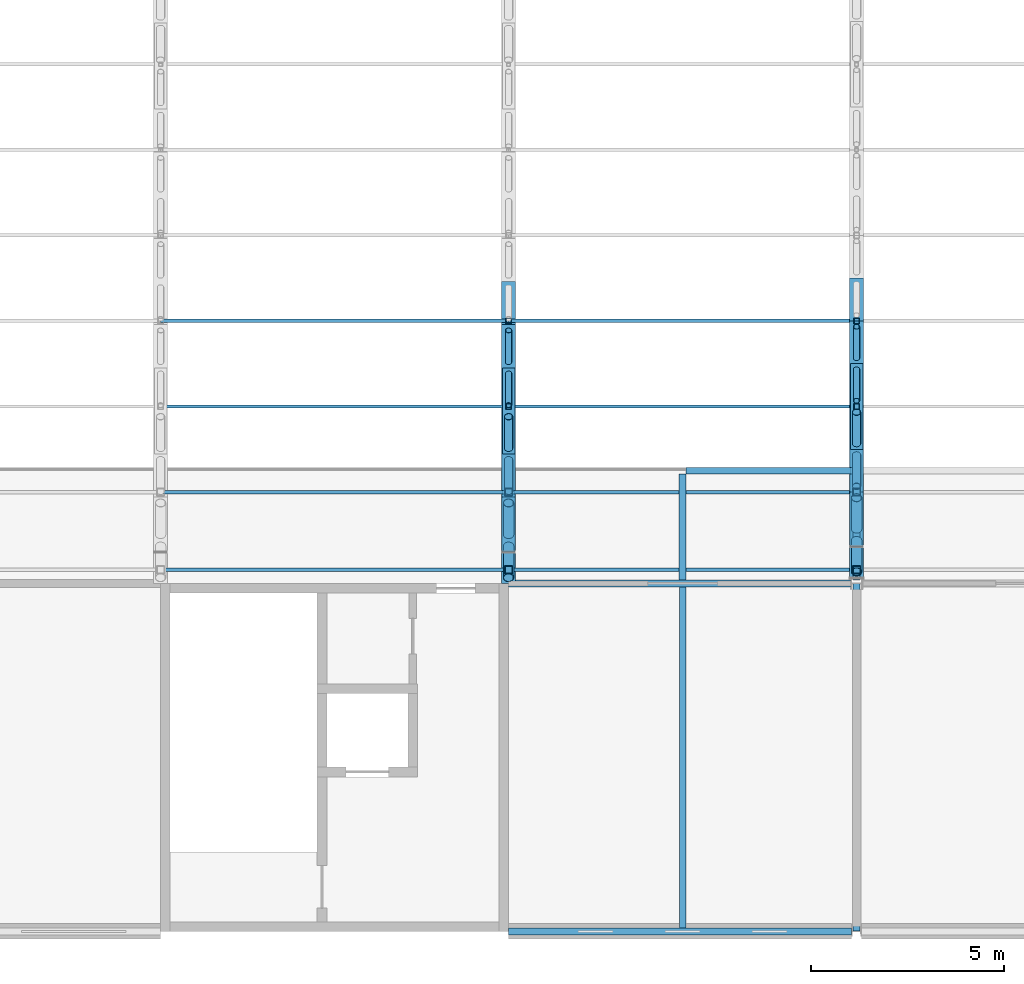
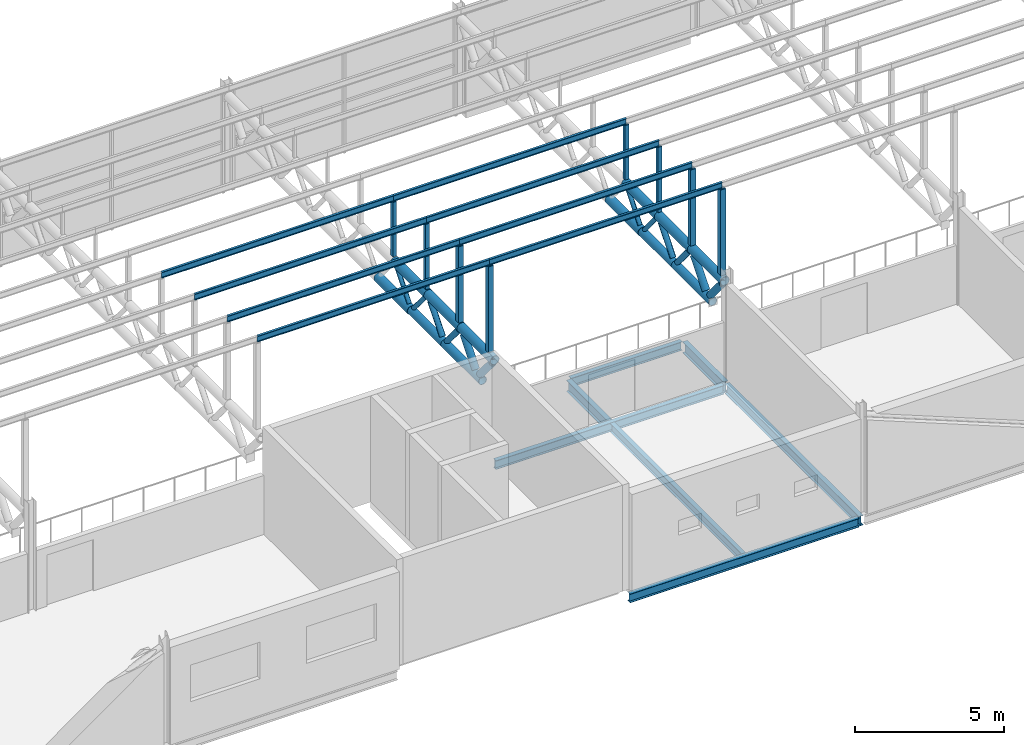
# One storey, part 34 of 138: 40 members, 7 beams.
"""IFC4 building model written with IfcOpenShell, lengths in metres."""

import ifcopenshell
import ifcopenshell.guid

model = None  # the IFC model being written
_history = None  # IfcOwnerHistory: only IFC2X3 demands one
_inside = {}  # id of a spatial element -> (the spatial element, [elements in it])
_under = {}  # id of a project, library or spatial element -> (it, [spatial elements below it])
_declared = {}  # id of a project -> (the project, [libraries it declares])
_typed = {}  # id of a type object -> (the type object, [elements of that type])
_made_of = {}  # id of a material, layer set ... -> (it, [elements and type objects made of it])


def new_model(schema):
    """Start an empty IFC model of exactly this schema.

    Asked for "IFC4X3", IfcOpenShell would pick the latest addendum, in which some entities
    have other attributes; the version numbers below select the first issue.
    IFC2X3 requires an IfcOwnerHistory on every rooted entity: one is made here for all.
    """
    global model, _history
    if schema == "IFC4X3":
        model = ifcopenshell.file(schema_version=(4, 3, 0, 0))
    else:
        model = ifcopenshell.file(schema=schema)
    _inside.clear()
    _under.clear()
    _declared.clear()
    _typed.clear()
    _made_of.clear()
    _history = None
    if model.schema == "IFC2X3":
        org = make("IfcOrganization", Name="unknown")
        user = make(
            "IfcPersonAndOrganization",
            ThePerson=make("IfcPerson", FamilyName="unknown"),
            TheOrganization=org,
        )
        app = make(
            "IfcApplication",
            ApplicationDeveloper=org,
            Version="unknown",
            ApplicationFullName="unknown",
            ApplicationIdentifier="unknown",
        )
        _history = make(
            "IfcOwnerHistory",
            OwningUser=user,
            OwningApplication=app,
            ChangeAction="ADDED",
            CreationDate=0,
        )
    return model


def make(cls, **values):
    """One entity of the class cls with the attributes given. An attribute that is None is left unset."""
    return model.create_entity(
        cls, **{name: value for name, value in values.items() if value is not None}
    )


def rooted(cls, **values):
    """An entity with a GlobalId (a new one), such as an element, a storey or a relation."""
    return make(cls, GlobalId=ifcopenshell.guid.new(), OwnerHistory=_history, **values)


def si_unit(unit_type, name, prefix=None):
    """IfcSIUnit, for example si_unit("LENGTHUNIT", "METRE", prefix="MILLI")."""
    return make("IfcSIUnit", UnitType=unit_type, Prefix=prefix, Name=name)


def assignment(units):
    """IfcUnitAssignment: the units of a project."""
    return None if units is None else make("IfcUnitAssignment", Units=units)


def point(xyz):
    """IfcCartesianPoint."""
    return None if xyz is None else make("IfcCartesianPoint", Coordinates=xyz)


def direction(xyz):
    """IfcDirection."""
    return None if xyz is None else make("IfcDirection", DirectionRatios=xyz)


def frame(location, z_axis=None, x_axis=None):
    """IfcAxis2Placement3D, a coordinate frame: its origin and axes. An axis left out is left unset."""
    return make(
        "IfcAxis2Placement3D",
        Location=point(location),
        Axis=direction(z_axis),
        RefDirection=direction(x_axis),
    )


def frame_2d(location, x_axis=None):
    """IfcAxis2Placement2D, a coordinate frame in the plane: its origin and x axis."""
    return make(
        "IfcAxis2Placement2D", Location=point(location), RefDirection=direction(x_axis)
    )


def origin():
    """The frame at (0, 0, 0) with its axes left unset."""
    return frame((0.0, 0.0, 0.0))


def origin_2d():
    """The frame at (0, 0) in the plane with its x axis left unset."""
    return frame_2d((0.0, 0.0))


def place(relative_to, where):
    """IfcLocalPlacement: puts the frame where relative to a parent placement (None: the world)."""
    return make(
        "IfcLocalPlacement", PlacementRelTo=relative_to, RelativePlacement=where
    )


def context(
    kind, dimensions, precision=None, world=None, true_north=None, identifier=None
):
    """IfcGeometricRepresentationContext, for example the 3D "Model" context."""
    return make(
        "IfcGeometricRepresentationContext",
        ContextIdentifier=identifier,
        ContextType=kind,
        CoordinateSpaceDimension=dimensions,
        Precision=precision,
        WorldCoordinateSystem=world,
        TrueNorth=true_north,
    )


def subcontext(parent, identifier, kind, view, scale=None):
    """IfcGeometricRepresentationSubContext, for example "Body" below "Model"."""
    return make(
        "IfcGeometricRepresentationSubContext",
        ContextIdentifier=identifier,
        ContextType=kind,
        ParentContext=parent,
        TargetScale=scale,
        TargetView=view,
    )


def project(units=None, contexts=None):
    """IfcProject with its units and contexts."""
    return rooted(
        "IfcProject",
        Name="project",
        RepresentationContexts=contexts,
        UnitsInContext=assignment(units),
    )


def spatial(cls, under=None, at=None, **own):
    """A site, building, storey or space (cls), placed at a placement, below another one or the project."""
    s = rooted(cls, ObjectPlacement=at, **own)
    if under is not None:
        _under.setdefault(under.id(), (under, []))[1].append(s)
    return s


def profile(cls, at=None, kind="AREA", **sizes):
    """A parametric profile (cls). Its sizes go by their IFC names, for example OverallWidth=200.0."""
    return make(cls, ProfileType=kind, Position=at, **sizes)


def hollow_rectangle(**sizes):
    """IfcRectangleHollowProfileDef."""
    return profile("IfcRectangleHollowProfileDef", **sizes)


def hollow_circle(**sizes):
    """IfcCircleHollowProfileDef."""
    return profile("IfcCircleHollowProfileDef", **sizes)


def i_section(**sizes):
    """IfcIShapeProfileDef."""
    return profile("IfcIShapeProfileDef", **sizes)


def extrude(swept, where, along, depth):
    """IfcExtrudedAreaSolid: the profile swept, set in the frame where, extruded along a direction by depth."""
    return make(
        "IfcExtrudedAreaSolid",
        SweptArea=swept,
        Position=where,
        ExtrudedDirection=direction(along),
        Depth=depth,
    )


def shape(context_of_items, identifier, shape_type, items):
    """IfcShapeRepresentation: the items that make up one representation, for example the "Body"."""
    return make(
        "IfcShapeRepresentation",
        ContextOfItems=context_of_items,
        RepresentationIdentifier=identifier,
        RepresentationType=shape_type,
        Items=items,
    )


def material(Name=None, Category=None):
    """IfcMaterial."""
    return make("IfcMaterial", Name=Name, Category=Category)


def material_profile(
    of_material, cross_section, Name=None, Category=None, Priority=None
):
    """IfcMaterialProfile: a cross section and its material."""
    return make(
        "IfcMaterialProfile",
        Name=Name,
        Material=of_material,
        Profile=cross_section,
        Priority=Priority,
        Category=Category,
    )


def profile_set(profiles, Name=None, composite=None):
    """IfcMaterialProfileSet."""
    return make(
        "IfcMaterialProfileSet",
        Name=Name,
        MaterialProfiles=profiles,
        CompositeProfile=composite,
    )


def made_of(thing, what):
    """Note that an element or type object is made of a material, layer set ...; save() writes the relation."""
    if what is not None:
        _made_of.setdefault(what.id(), (what, []))[1].append(thing)
    return thing


def type_object(cls, material=None, **own):
    """A type object (cls), such as IfcWallType, which elements share."""
    return made_of(rooted(cls, **own), material)


def element(
    cls,
    number,
    at=None,
    inside=None,
    cuts=None,
    type_object=None,
    material=None,
    context=None,
    identifier="Body",
    shape_type=None,
    held_by="IfcProductDefinitionShape",
    body=None,
    shapes=None,
    **own,
):
    """One element of the class cls, such as IfcWall. Its Tag is "e" and its number.

    at: its placement. inside: the storey or other place that contains it. cuts: it is an
    opening in that element (IfcRelVoidsElement). A single representation is given by context,
    identifier, shape_type and body (its items); several are given by shapes. held_by: the class
    of the entity that holds the representations. save() writes the other relations.
    """
    e = rooted(cls, Tag="e%d" % number, ObjectPlacement=at, **own)
    if body is not None:
        shapes = [shape(context, identifier, shape_type, body)]
    if shapes is not None:
        e.Representation = make(held_by, Representations=shapes)
    if inside is not None:
        _inside.setdefault(inside.id(), (inside, []))[1].append(e)
    if cuts is not None:
        rooted(
            "IfcRelVoidsElement", RelatingBuildingElement=cuts, RelatedOpeningElement=e
        )
    if type_object is not None:
        _typed.setdefault(type_object.id(), (type_object, []))[1].append(e)
    return made_of(e, material)


def aggregate(whole, parts):
    """IfcRelAggregates: a whole, such as a stair, and the parts it consists of."""
    return rooted("IfcRelAggregates", RelatingObject=whole, RelatedObjects=parts)


def save(model, path):
    """Write the relations noted so far, then the file.

    IfcRelAggregates (storeys below a building ...), IfcRelContainedInSpatialStructure (elements
    in a storey), IfcRelDefinesByType, IfcRelAssociatesMaterial and IfcRelDeclares: one each for
    every whole, place, type object, material and project.
    """
    for whole, parts in _under.values():
        aggregate(whole, parts)
    for where, things in _inside.values():
        rooted(
            "IfcRelContainedInSpatialStructure",
            RelatedElements=things,
            RelatingStructure=where,
        )
    for kind, things in _typed.values():
        rooted("IfcRelDefinesByType", RelatedObjects=things, RelatingType=kind)
    for what, things in _made_of.values():
        rooted("IfcRelAssociatesMaterial", RelatedObjects=things, RelatingMaterial=what)
    for by, libraries in _declared.values():
        rooted("IfcRelDeclares", RelatingContext=by, RelatedDefinitions=libraries)
    model.write(path)


model = new_model("IFC4")

# Units and contexts
model_context = context("Model", 3, precision=1e-05, world=origin(), true_north=direction((0.0, 1.0)))
body_context = subcontext(model_context, "Body", "Model", "MODEL_VIEW")
ifc_project = project(units=[si_unit("LENGTHUNIT", "METRE"), si_unit("AREAUNIT", "SQUARE_METRE"), si_unit("VOLUMEUNIT", "CUBIC_METRE"), si_unit("PLANEANGLEUNIT", "RADIAN"), si_unit("MASSUNIT", "GRAM", prefix="KILO")], contexts=[model_context])

# Site, building, storey
site_placement = place(None, origin())
site = spatial("IfcSite", under=ifc_project, at=site_placement, CompositionType="ELEMENT")
building_placement = place(site_placement, origin())
building = spatial("IfcBuilding", under=site, at=building_placement, Name="Corbel Yard City Hall", CompositionType="ELEMENT")
storey_placement = place(building_placement, frame((0.0, 0.0, 10.5)))
storey = spatial("IfcBuildingStorey", under=building, at=storey_placement, Name="L02", CompositionType="ELEMENT", Elevation=10.5)

# Beams
ifc_material_1 = material(Name="Steel Grade 300 (300 MPa yield)", Category="steel")
ifc_material_profile_1 = material_profile(ifc_material_1, i_section(OverallWidth=0.177978515625, OverallDepth=0.403076171875, WebThickness=0.007568359375, FlangeThickness=0.010986328125, at=origin_2d()), Name="410UB53.7")
ifc_profile_set_1 = profile_set([ifc_material_profile_1], Name="Steel Grade 300 (300 MPa yield)")
beam_type_1 = type_object("IfcBeamType", Name="Beam 410UB53.7", PredefinedType="BEAM", material=ifc_profile_set_1)
beam_1_placement = place(storey_placement, frame((63.0, 0.00537109375, -0.3515625), z_axis=(0.0, 1.0, 0.0), x_axis=(-1.0, 0.0, 0.0)))
element("IfcBeam", 1, at=beam_1_placement, inside=storey, type_object=beam_type_1, Name="Beam 410UB53.7 SB6 L02floor", PredefinedType="BEAM", context=body_context, shape_type="SweptSolid", body=[
    extrude(i_section(OverallWidth=0.177978515625, OverallDepth=0.403076171875, WebThickness=0.007568359375, FlangeThickness=0.010986328125, at=origin_2d()), origin(), (0.0, 0.0, 1.0), 8.98876953125),
])
ifc_material_profile_2 = material_profile(ifc_material_1, i_section(OverallWidth=0.172119140625, OverallDepth=0.35888671875, WebThickness=0.008056640625, FlangeThickness=0.012939453125, at=origin_2d()), Name="360UB56.7")
ifc_profile_set_2 = profile_set([ifc_material_profile_2], Name="Steel Grade 300 (300 MPa yield)")
beam_type_2 = type_object("IfcBeamType", Name="Edge beam 360UB56.7", PredefinedType="BEAM", material=ifc_profile_set_2)
beam_2_placement = place(storey_placement, frame((54.0, 0.0, -0.32958984375), z_axis=(1.0, 0.0, 0.0), x_axis=(0.0, 1.0, 0.0)))
element("IfcBeam", 2, at=beam_2_placement, inside=storey, type_object=beam_type_2, Name="Edge beam 360UB56.7 EB4 L02floor", PredefinedType="BEAM", context=body_context, shape_type="SweptSolid", body=[
    extrude(i_section(OverallWidth=0.172119140625, OverallDepth=0.35888671875, WebThickness=0.008056640625, FlangeThickness=0.012939453125, at=origin_2d()), origin(), (0.0, 0.0, 1.0), 8.8701171875),
])
beam_3_placement = place(storey_placement, frame((54.0, 9.0, -0.32958984375), z_axis=(1.0, 0.0, 0.0), x_axis=(0.0, 1.0, 0.0)))
element("IfcBeam", 3, at=beam_3_placement, inside=storey, type_object=beam_type_2, Name="Edge beam 360UB56.7 EB4 L02floor", PredefinedType="BEAM", context=body_context, shape_type="SweptSolid", body=[
    extrude(i_section(OverallWidth=0.172119140625, OverallDepth=0.35888671875, WebThickness=0.008056640625, FlangeThickness=0.012939453125, at=origin_2d()), origin(), (0.0, 0.0, 1.0), 8.842529296875),
])
ifc_material_profile_3 = material_profile(ifc_material_1, i_section(OverallWidth=0.18994140625, OverallDepth=0.4541015625, WebThickness=0.008544921875, FlangeThickness=0.0126953125, at=origin_2d()), Name="460UB67.1")
ifc_profile_set_3 = profile_set([ifc_material_profile_3], Name="Steel Grade 300 (300 MPa yield)")
beam_type_3 = type_object("IfcBeamType", Name="Gallery bracket 460UB67.1", PredefinedType="BEAM", material=ifc_profile_set_3)
for number, where, z_axis, x_axis, name in (
    (4, (58.5, 9.0859375, -0.376953125), (0.0, 1.0, 0.0), (-1.0, 0.0, 0.0), "Gallery bracket 460UB67.1 CB2 L02"),
    (5, (63.0, 9.0859375, -0.376953125), (0.0, 1.0, 0.0), (-1.0, 0.0, 0.0), "Gallery bracket 460UB67.1 CB2 L02"),
):
    element("IfcBeam", number, at=place(storey_placement, frame(where, z_axis=z_axis, x_axis=x_axis)), inside=storey, type_object=beam_type_3, Name=name, PredefinedType="BEAM", context=body_context, shape_type="SweptSolid", body=[
        extrude(i_section(OverallWidth=0.18994140625, OverallDepth=0.4541015625, WebThickness=0.008544921875, FlangeThickness=0.0126953125, at=origin_2d()), origin(), (0.0, 0.0, 1.0), 2.7431640625),
    ])
ifc_material_profile_4 = material_profile(ifc_material_1, i_section(OverallWidth=0.1708984375, OverallDepth=0.35205078125, WebThickness=0.0068359375, FlangeThickness=0.009765625, at=origin_2d()), Name="360UB44.7")
ifc_profile_set_4 = profile_set([ifc_material_profile_4], Name="Steel Grade 300 (300 MPa yield)")
beam_type_4 = type_object("IfcBeamType", Name="Gallery edge beam 360UB44.7", PredefinedType="BEAM", material=ifc_profile_set_4)
beam_4_placement = place(storey_placement, frame((58.594970703125, 11.91455078125, -0.325927734375), z_axis=(1.0, 0.0, 0.0), x_axis=(0.0, 1.0, 0.0)))
element("IfcBeam", 6, at=beam_4_placement, inside=storey, type_object=beam_type_4, Name="Gallery edge beam 360UB44.7 EB13 L02", PredefinedType="BEAM", context=body_context, shape_type="SweptSolid", body=[
    extrude(i_section(OverallWidth=0.1708984375, OverallDepth=0.35205078125, WebThickness=0.0068359375, FlangeThickness=0.009765625, at=origin_2d()), origin(), (0.0, 0.0, 1.0), 4.31005859375),
])

# Members
ifc_material_2 = material(Name="Steel Grade C350L0", Category="steel")
ifc_material_profile_5 = material_profile(ifc_material_2, hollow_circle(Radius=0.161865234375, WallThickness=0.0126953125, at=origin_2d()), Name="323.9x12.7CHS")
ifc_profile_set_5 = profile_set([ifc_material_profile_5], Name="Steel Grade C350L0")
member_type_1 = type_object("IfcMemberType", Name="Hall roof truss bottom chord 323.9x12.7CHS", PredefinedType="CHORD", material=ifc_profile_set_5)
member_1_placement = place(storey_placement, frame((54.0, 9.8154296875, 2.59228515625), z_axis=(0.0, 1.0, 0.0), x_axis=(-1.0, 0.0, 0.0)))
element("IfcMember", 7, at=member_1_placement, inside=storey, type_object=member_type_1, Name="Hall roof truss bottom chord 323.9x12.7CHS TC2", PredefinedType="CHORD", context=body_context, shape_type="SweptSolid", body=[
    extrude(hollow_circle(Radius=0.161865234375, WallThickness=0.0126953125, at=origin_2d()), origin(), (0.0, 0.0, 1.0), 2.531005859375),
])
member_2_placement = place(storey_placement, frame((54.0, 12.346435546875, 2.59228515625), z_axis=(0.0, 1.0, 0.0), x_axis=(-1.0, 0.0, 0.0)))
element("IfcMember", 8, at=member_2_placement, inside=storey, type_object=member_type_1, Name="Hall roof truss bottom chord 323.9x12.7CHS TC2", PredefinedType="CHORD", context=body_context, shape_type="SweptSolid", body=[
    extrude(hollow_circle(Radius=0.161865234375, WallThickness=0.0126953125, at=origin_2d()), origin(), (0.0, 0.0, 1.0), 2.23095703125),
])
member_3_placement = place(storey_placement, frame((63.0, 9.95849609375, 2.59228515625), z_axis=(0.0, 1.0, 0.0), x_axis=(-1.0, 0.0, 0.0)))
element("IfcMember", 9, at=member_3_placement, inside=storey, type_object=member_type_1, Name="Hall roof truss bottom chord 323.9x12.7CHS TC2", PredefinedType="CHORD", context=body_context, shape_type="SweptSolid", body=[
    extrude(hollow_circle(Radius=0.161865234375, WallThickness=0.0126953125, at=origin_2d()), origin(), (0.0, 0.0, 1.0), 2.51171875),
])
member_4_placement = place(storey_placement, frame((63.0, 12.47021484375, 2.59228515625), z_axis=(0.0, 1.0, 0.0), x_axis=(-1.0, 0.0, 0.0)))
element("IfcMember", 10, at=member_4_placement, inside=storey, type_object=member_type_1, Name="Hall roof truss bottom chord 323.9x12.7CHS TC2", PredefinedType="CHORD", context=body_context, shape_type="SweptSolid", body=[
    extrude(hollow_circle(Radius=0.161865234375, WallThickness=0.0126953125, at=origin_2d()), origin(), (0.0, 0.0, 1.0), 2.2119140625),
])
ifc_material_profile_6 = material_profile(ifc_material_2, hollow_circle(Radius=0.177734375, WallThickness=0.0126953125, at=origin_2d()), Name="355.6x12.7CHS")
ifc_profile_set_6 = profile_set([ifc_material_profile_6], Name="Steel Grade C350L0")
member_type_2 = type_object("IfcMemberType", Name="Hall roof truss bottom chord 355.6x12.7CHS", PredefinedType="CHORD", material=ifc_profile_set_6)
member_5_placement = place(storey_placement, frame((54.0, 14.577392578125, 2.59228515625), z_axis=(0.0, 1.0, 0.0), x_axis=(-1.0, 0.0, 0.0)))
element("IfcMember", 11, at=member_5_placement, inside=storey, type_object=member_type_2, Name="Hall roof truss bottom chord 355.6x12.7CHS TC3", PredefinedType="CHORD", context=body_context, shape_type="SweptSolid", body=[
    extrude(hollow_circle(Radius=0.177734375, WallThickness=0.0126953125, at=origin_2d()), origin(), (0.0, 0.0, 1.0), 2.23095703125),
])
member_6_placement = place(storey_placement, frame((63.0, 14.68212890625, 2.59228515625), z_axis=(0.0, 1.0, 0.0), x_axis=(-1.0, 0.0, 0.0)))
element("IfcMember", 12, at=member_6_placement, inside=storey, type_object=member_type_2, Name="Hall roof truss bottom chord 355.6x12.7CHS TC3", PredefinedType="CHORD", context=body_context, shape_type="SweptSolid", body=[
    extrude(hollow_circle(Radius=0.177734375, WallThickness=0.0126953125, at=origin_2d()), origin(), (0.0, 0.0, 1.0), 2.2119140625),
])
ifc_material_profile_7 = material_profile(ifc_material_2, hollow_circle(Radius=0.084228515625, WallThickness=0.007080078125, at=origin_2d()), Name="168.3x7.1CHS")
ifc_profile_set_7 = profile_set([ifc_material_profile_7], Name="Steel Grade C350L0")
member_type_3 = type_object("IfcMemberType", Name="Hall roof truss diagonal 168.3x7.1CHS", PredefinedType="STRUT", material=ifc_profile_set_7)
for number, where, z_axis, x_axis, name in (
    (13, (54.0, 13.611083984375, 3.744384765625), (0.0, 0.64257954038, -0.766218985855), (-1.0, 0.0, 0.0), "Hall roof truss diagonal 168.3x7.1CHS TD3"),
    (14, (54.0, 14.7265625, 2.77001953125), (0.0, 0.64257954038, 0.766218985855), (-1.0, 0.0, 0.0), "Hall roof truss diagonal 168.3x7.1CHS TD3"),
):
    element("IfcMember", number, at=place(storey_placement, frame(where, z_axis=z_axis, x_axis=x_axis)), inside=storey, type_object=member_type_3, Name=name, PredefinedType="STRUT", context=body_context, shape_type="SweptSolid", body=[
        extrude(hollow_circle(Radius=0.084228515625, WallThickness=0.007080078125, at=origin_2d()), origin(), (0.0, 0.0, 1.0), 1.271728515625),
    ])
for number, where, z_axis, x_axis, name in (
    (15, (63.0, 13.72412109375, 3.744384765625), (0.0, 0.639407153698, -0.768868318894), (-1.0, 0.0, 0.0), "Hall roof truss diagonal 168.3x7.1CHS TD3"),
    (16, (63.0, 14.830078125, 2.77001953125), (0.0, 0.639407153698, 0.768868318894), (-1.0, 0.0, 0.0), "Hall roof truss diagonal 168.3x7.1CHS TD3"),
):
    element("IfcMember", number, at=place(storey_placement, frame(where, z_axis=z_axis, x_axis=x_axis)), inside=storey, type_object=member_type_3, Name=name, PredefinedType="STRUT", context=body_context, shape_type="SweptSolid", body=[
        extrude(hollow_circle(Radius=0.084228515625, WallThickness=0.007080078125, at=origin_2d()), origin(), (0.0, 0.0, 1.0), 1.267333984375),
    ])
ifc_material_profile_8 = material_profile(ifc_material_2, hollow_circle(Radius=0.109619140625, WallThickness=0.00830078125, at=origin_2d()), Name="219.1x8.2CHS")
ifc_profile_set_8 = profile_set([ifc_material_profile_8], Name="Steel Grade C350L0")
member_type_4 = type_object("IfcMemberType", Name="Hall roof truss diagonal 219.1x8.2CHS", PredefinedType="STRUT", material=ifc_profile_set_8)
for number, where, z_axis, x_axis, name in (
    (17, (54.0, 11.380126953125, 3.744384765625), (0.0, 0.64257954038, -0.766218985855), (-1.0, 0.0, 0.0), "Hall roof truss diagonal 219.1x8.2CHS TD2"),
    (18, (54.0, 12.49560546875, 2.77001953125), (0.0, 0.64257954038, 0.766218985855), (-1.0, 0.0, 0.0), "Hall roof truss diagonal 219.1x8.2CHS TD2"),
):
    element("IfcMember", number, at=place(storey_placement, frame(where, z_axis=z_axis, x_axis=x_axis)), inside=storey, type_object=member_type_4, Name=name, PredefinedType="STRUT", context=body_context, shape_type="SweptSolid", body=[
        extrude(hollow_circle(Radius=0.109619140625, WallThickness=0.00830078125, at=origin_2d()), origin(), (0.0, 0.0, 1.0), 1.271728515625),
    ])
for number, where, z_axis, x_axis, name in (
    (19, (63.0, 11.51220703125, 3.744384765625), (0.0, 0.639407153698, -0.768868318894), (-1.0, 0.0, 0.0), "Hall roof truss diagonal 219.1x8.2CHS TD2"),
    (20, (63.0, 12.6181640625, 2.77001953125), (0.0, 0.639407153698, 0.768868318894), (-1.0, 0.0, 0.0), "Hall roof truss diagonal 219.1x8.2CHS TD2"),
):
    element("IfcMember", number, at=place(storey_placement, frame(where, z_axis=z_axis, x_axis=x_axis)), inside=storey, type_object=member_type_4, Name=name, PredefinedType="STRUT", context=body_context, shape_type="SweptSolid", body=[
        extrude(hollow_circle(Radius=0.109619140625, WallThickness=0.00830078125, at=origin_2d()), origin(), (0.0, 0.0, 1.0), 1.267333984375),
    ])
ifc_material_profile_9 = material_profile(ifc_material_2, hollow_circle(Radius=0.136474609375, WallThickness=0.00927734375, at=origin_2d()), Name="273.1x9.3CHS")
ifc_profile_set_9 = profile_set([ifc_material_profile_9], Name="Steel Grade C350L0")
member_type_5 = type_object("IfcMemberType", Name="Hall roof truss diagonal 273.1x9.3CHS", PredefinedType="STRUT", material=ifc_profile_set_9)
for number, where, z_axis, x_axis, name in (
    (21, (54.0, 9.149169921875, 3.744384765625), (0.0, 0.64257954038, -0.766218985855), (-1.0, 0.0, 0.0), "Hall roof truss diagonal 273.1x9.3CHS TD1"),
    (22, (54.0, 10.2646484375, 2.77001953125), (0.0, 0.64257954038, 0.766218985855), (-1.0, 0.0, 0.0), "Hall roof truss diagonal 273.1x9.3CHS TD1"),
):
    element("IfcMember", number, at=place(storey_placement, frame(where, z_axis=z_axis, x_axis=x_axis)), inside=storey, type_object=member_type_5, Name=name, PredefinedType="STRUT", context=body_context, shape_type="SweptSolid", body=[
        extrude(hollow_circle(Radius=0.136474609375, WallThickness=0.00927734375, at=origin_2d()), origin(), (0.0, 0.0, 1.0), 1.271728515625),
    ])
for number, where, z_axis, x_axis, name in (
    (23, (63.0, 9.30029296875, 3.744384765625), (0.0, 0.639407153698, -0.768868318894), (-1.0, 0.0, 0.0), "Hall roof truss diagonal 273.1x9.3CHS TD1"),
    (24, (63.0, 10.40625, 2.77001953125), (0.0, 0.639407153698, 0.768868318894), (-1.0, 0.0, 0.0), "Hall roof truss diagonal 273.1x9.3CHS TD1"),
):
    element("IfcMember", number, at=place(storey_placement, frame(where, z_axis=z_axis, x_axis=x_axis)), inside=storey, type_object=member_type_5, Name=name, PredefinedType="STRUT", context=body_context, shape_type="SweptSolid", body=[
        extrude(hollow_circle(Radius=0.136474609375, WallThickness=0.00927734375, at=origin_2d()), origin(), (0.0, 0.0, 1.0), 1.267333984375),
    ])
ifc_material_profile_10 = material_profile(ifc_material_2, hollow_circle(Radius=0.177734375, WallThickness=0.0126953125, at=origin_2d()), Name="355.6x12.7CHS")
ifc_profile_set_10 = profile_set([ifc_material_profile_10], Name="Steel Grade C350L0")
member_type_6 = type_object("IfcMemberType", Name="Hall roof truss top chord 355.6x12.7CHS", PredefinedType="CHORD", material=ifc_profile_set_10)
for number, where, z_axis, x_axis, name in (
    (25, (54.0, 9.0, 3.922119140625), (0.0, 1.0, 0.0), (-1.0, 0.0, 0.0), "Hall roof truss top chord 355.6x12.7CHS TC1"),
    (26, (54.0, 11.23095703125, 3.922119140625), (0.0, 1.0, 0.0), (-1.0, 0.0, 0.0), "Hall roof truss top chord 355.6x12.7CHS TC1"),
    (27, (54.0, 13.4619140625, 3.922119140625), (0.0, 1.0, 0.0), (-1.0, 0.0, 0.0), "Hall roof truss top chord 355.6x12.7CHS TC1"),
):
    element("IfcMember", number, at=place(storey_placement, frame(where, z_axis=z_axis, x_axis=x_axis)), inside=storey, type_object=member_type_6, Name=name, PredefinedType="CHORD", context=body_context, shape_type="SweptSolid", body=[
        extrude(hollow_circle(Radius=0.177734375, WallThickness=0.0126953125, at=origin_2d()), origin(), (0.0, 0.0, 1.0), 2.23095703125),
    ])
member_7_placement = place(storey_placement, frame((63.0, 9.152587890625, 3.922119140625), z_axis=(0.0, 1.0, 0.0), x_axis=(-1.0, 0.0, 0.0)))
element("IfcMember", 28, at=member_7_placement, inside=storey, type_object=member_type_6, Name="Hall roof truss top chord 355.6x12.7CHS TC1", PredefinedType="CHORD", context=body_context, shape_type="SweptSolid", body=[
    extrude(hollow_circle(Radius=0.177734375, WallThickness=0.0126953125, at=origin_2d()), origin(), (0.0, 0.0, 1.0), 2.211669921875),
])
for number, where, z_axis, x_axis, name in (
    (29, (63.0, 11.3642578125, 3.922119140625), (0.0, 1.0, 0.0), (-1.0, 0.0, 0.0), "Hall roof truss top chord 355.6x12.7CHS TC1"),
    (30, (63.0, 13.576171875, 3.922119140625), (0.0, 1.0, 0.0), (-1.0, 0.0, 0.0), "Hall roof truss top chord 355.6x12.7CHS TC1"),
):
    element("IfcMember", number, at=place(storey_placement, frame(where, z_axis=z_axis, x_axis=x_axis)), inside=storey, type_object=member_type_6, Name=name, PredefinedType="CHORD", context=body_context, shape_type="SweptSolid", body=[
        extrude(hollow_circle(Radius=0.177734375, WallThickness=0.0126953125, at=origin_2d()), origin(), (0.0, 0.0, 1.0), 2.2119140625),
    ])
ifc_material_profile_11 = material_profile(ifc_material_1, i_section(OverallWidth=0.090087890625, OverallDepth=0.25, WebThickness=0.008056640625, FlangeThickness=0.014892578125, at=origin_2d()), Name="250PFC")
ifc_profile_set_11 = profile_set([ifc_material_profile_11], Name="Steel Grade 300 (300 MPa yield)")
member_type_7 = type_object("IfcMemberType", Name="Purlin 250PFC", PredefinedType="PURLIN", material=ifc_profile_set_11)
for number, where, z_axis, x_axis, name in (
    (31, (45.0, 9.3525390625, 7.74560546875), (1.0, 0.0, 0.0), (0.0, 1.0, 0.0), "Purlin 250PFC PU1"),
    (32, (45.0, 11.3642578125, 7.343017578125), (1.0, 0.0, 0.0), (0.0, 1.0, 0.0), "Purlin 250PFC PU1"),
    (33, (45.0, 13.576171875, 6.900634765625), (1.0, 0.0, 0.0), (0.0, 1.0, 0.0), "Purlin 250PFC PU1"),
    (34, (45.0, 15.7880859375, 6.45849609375), (1.0, 0.0, 0.0), (0.0, 1.0, 0.0), "Purlin 250PFC PU1"),
    (35, (54.0, 9.3525390625, 7.74560546875), (1.0, 0.0, 0.0), (0.0, 1.0, 0.0), "Purlin 250PFC PU1"),
    (36, (54.0, 11.3642578125, 7.343017578125), (1.0, 0.0, 0.0), (0.0, 1.0, 0.0), "Purlin 250PFC PU1"),
    (37, (54.0, 13.576171875, 6.900634765625), (1.0, 0.0, 0.0), (0.0, 1.0, 0.0), "Purlin 250PFC PU1"),
    (38, (54.0, 15.7880859375, 6.45849609375), (1.0, 0.0, 0.0), (0.0, 1.0, 0.0), "Purlin 250PFC PU1"),
):
    element("IfcMember", number, at=place(storey_placement, frame(where, z_axis=z_axis, x_axis=x_axis)), inside=storey, type_object=member_type_7, Name=name, PredefinedType="PURLIN", context=body_context, shape_type="SweptSolid", body=[
        extrude(i_section(OverallWidth=0.090087890625, OverallDepth=0.25, WebThickness=0.008056640625, FlangeThickness=0.014892578125, at=origin_2d()), origin(), (0.0, 0.0, 1.0), 9.0),
    ])
ifc_material_3 = material(Name="Steel Grade C450L0", Category="steel")
ifc_material_profile_12 = material_profile(ifc_material_3, hollow_rectangle(XDim=0.14990234375, YDim=0.14990234375, WallThickness=0.009033203125, at=origin_2d()), Name="150x150x9.0SHS")
ifc_profile_set_12 = profile_set([ifc_material_profile_12], Name="Steel Grade C450L0")
member_type_8 = type_object("IfcMemberType", Name="Roof post 150x150x9.0SHS", PredefinedType="POST", material=ifc_profile_set_12)
member_8_placement = place(storey_placement, frame((54.0, 13.576171875, 4.10009765625), z_axis=(0.0, 0.0, 1.0), x_axis=(1.0, 0.0, 0.0)))
element("IfcMember", 39, at=member_8_placement, inside=storey, type_object=member_type_8, Name="Roof post 150x150x9.0SHS RP2", PredefinedType="POST", context=body_context, shape_type="SweptSolid", body=[
    extrude(hollow_rectangle(XDim=0.14990234375, YDim=0.14990234375, WallThickness=0.009033203125, at=origin_2d()), origin(), (0.0, 0.0, 1.0), 2.675537109375),
])
member_9_placement = place(storey_placement, frame((54.0, 15.7880859375, 4.10009765625), z_axis=(0.0, 0.0, 1.0), x_axis=(1.0, 0.0, 0.0)))
element("IfcMember", 40, at=member_9_placement, inside=storey, type_object=member_type_8, Name="Roof post 150x150x9.0SHS RP2", PredefinedType="POST", context=body_context, shape_type="SweptSolid", body=[
    extrude(hollow_rectangle(XDim=0.14990234375, YDim=0.14990234375, WallThickness=0.009033203125, at=origin_2d()), origin(), (0.0, 0.0, 1.0), 2.2333984375),
])
member_10_placement = place(storey_placement, frame((63.0, 13.576171875, 4.10009765625), z_axis=(0.0, 0.0, 1.0), x_axis=(1.0, 0.0, 0.0)))
element("IfcMember", 41, at=member_10_placement, inside=storey, type_object=member_type_8, Name="Roof post 150x150x9.0SHS RP2", PredefinedType="POST", context=body_context, shape_type="SweptSolid", body=[
    extrude(hollow_rectangle(XDim=0.14990234375, YDim=0.14990234375, WallThickness=0.009033203125, at=origin_2d()), origin(), (0.0, 0.0, 1.0), 2.675537109375),
])
member_11_placement = place(storey_placement, frame((63.0, 15.7880859375, 4.10009765625), z_axis=(0.0, 0.0, 1.0), x_axis=(1.0, 0.0, 0.0)))
element("IfcMember", 42, at=member_11_placement, inside=storey, type_object=member_type_8, Name="Roof post 150x150x9.0SHS RP2", PredefinedType="POST", context=body_context, shape_type="SweptSolid", body=[
    extrude(hollow_rectangle(XDim=0.14990234375, YDim=0.14990234375, WallThickness=0.009033203125, at=origin_2d()), origin(), (0.0, 0.0, 1.0), 2.2333984375),
])
ifc_material_profile_13 = material_profile(ifc_material_3, hollow_rectangle(XDim=0.199951171875, YDim=0.199951171875, WallThickness=0.009033203125, at=origin_2d()), Name="200x200x9.0SHS")
ifc_profile_set_13 = profile_set([ifc_material_profile_13], Name="Steel Grade C450L0")
member_type_9 = type_object("IfcMemberType", Name="Roof post 200x200x9.0SHS", PredefinedType="POST", material=ifc_profile_set_13)
member_12_placement = place(storey_placement, frame((54.0, 9.3525390625, 4.10009765625), z_axis=(0.0, 0.0, 1.0), x_axis=(1.0, 0.0, 0.0)))
element("IfcMember", 43, at=member_12_placement, inside=storey, type_object=member_type_9, Name="Roof post 200x200x9.0SHS RP1", PredefinedType="POST", context=body_context, shape_type="SweptSolid", body=[
    extrude(hollow_rectangle(XDim=0.199951171875, YDim=0.199951171875, WallThickness=0.009033203125, at=origin_2d()), origin(), (0.0, 0.0, 1.0), 3.5205078125),
])
member_13_placement = place(storey_placement, frame((54.0, 11.3642578125, 4.10009765625), z_axis=(0.0, 0.0, 1.0), x_axis=(1.0, 0.0, 0.0)))
element("IfcMember", 44, at=member_13_placement, inside=storey, type_object=member_type_9, Name="Roof post 200x200x9.0SHS RP1", PredefinedType="POST", context=body_context, shape_type="SweptSolid", body=[
    extrude(hollow_rectangle(XDim=0.199951171875, YDim=0.199951171875, WallThickness=0.009033203125, at=origin_2d()), origin(), (0.0, 0.0, 1.0), 3.117919921875),
])
member_14_placement = place(storey_placement, frame((63.0, 9.3525390625, 4.10009765625), z_axis=(0.0, 0.0, 1.0), x_axis=(1.0, 0.0, 0.0)))
element("IfcMember", 45, at=member_14_placement, inside=storey, type_object=member_type_9, Name="Roof post 200x200x9.0SHS RP1", PredefinedType="POST", context=body_context, shape_type="SweptSolid", body=[
    extrude(hollow_rectangle(XDim=0.199951171875, YDim=0.199951171875, WallThickness=0.009033203125, at=origin_2d()), origin(), (0.0, 0.0, 1.0), 3.5205078125),
])
member_15_placement = place(storey_placement, frame((63.0, 11.3642578125, 4.10009765625), z_axis=(0.0, 0.0, 1.0), x_axis=(1.0, 0.0, 0.0)))
element("IfcMember", 46, at=member_15_placement, inside=storey, type_object=member_type_9, Name="Roof post 200x200x9.0SHS RP1", PredefinedType="POST", context=body_context, shape_type="SweptSolid", body=[
    extrude(hollow_rectangle(XDim=0.199951171875, YDim=0.199951171875, WallThickness=0.009033203125, at=origin_2d()), origin(), (0.0, 0.0, 1.0), 3.117919921875),
])

# Beam
ifc_material_profile_14 = material_profile(ifc_material_1, i_section(OverallWidth=0.1708984375, OverallDepth=0.35595703125, WebThickness=0.00732421875, FlangeThickness=0.011474609375, at=origin_2d()), Name="360UB50.7")
ifc_profile_set_14 = profile_set([ifc_material_profile_14], Name="Steel Grade 300 (300 MPa yield)")
beam_type_5 = type_object("IfcBeamType", Name="Secondary beam 360UB50.7", PredefinedType="JOIST", material=ifc_profile_set_14)
beam_5_placement = place(storey_placement, frame((58.5, 0.0859375, -0.327880859375), z_axis=(0.0, 1.0, 0.0), x_axis=(-1.0, 0.0, 0.0)))
element("IfcBeam", 47, at=beam_5_placement, inside=storey, type_object=beam_type_5, Name="Secondary beam 360UB50.7 SB10 L02floor", PredefinedType="JOIST", context=body_context, shape_type="SweptSolid", body=[
    extrude(i_section(OverallWidth=0.1708984375, OverallDepth=0.35595703125, WebThickness=0.00732421875, FlangeThickness=0.011474609375, at=origin_2d()), origin(), (0.0, 0.0, 1.0), 8.828125),
])

save(model, "model.ifc")
